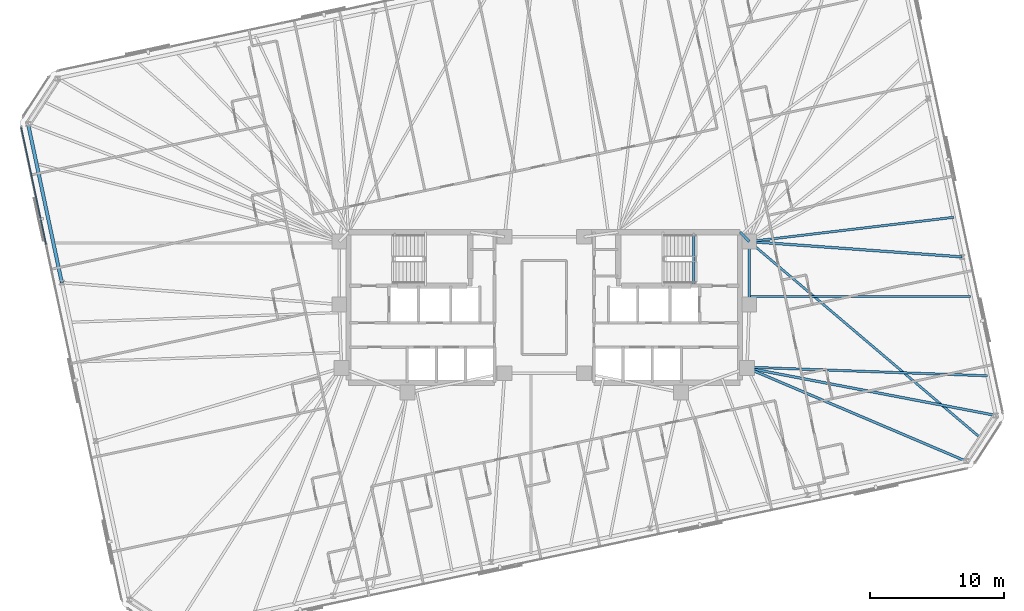
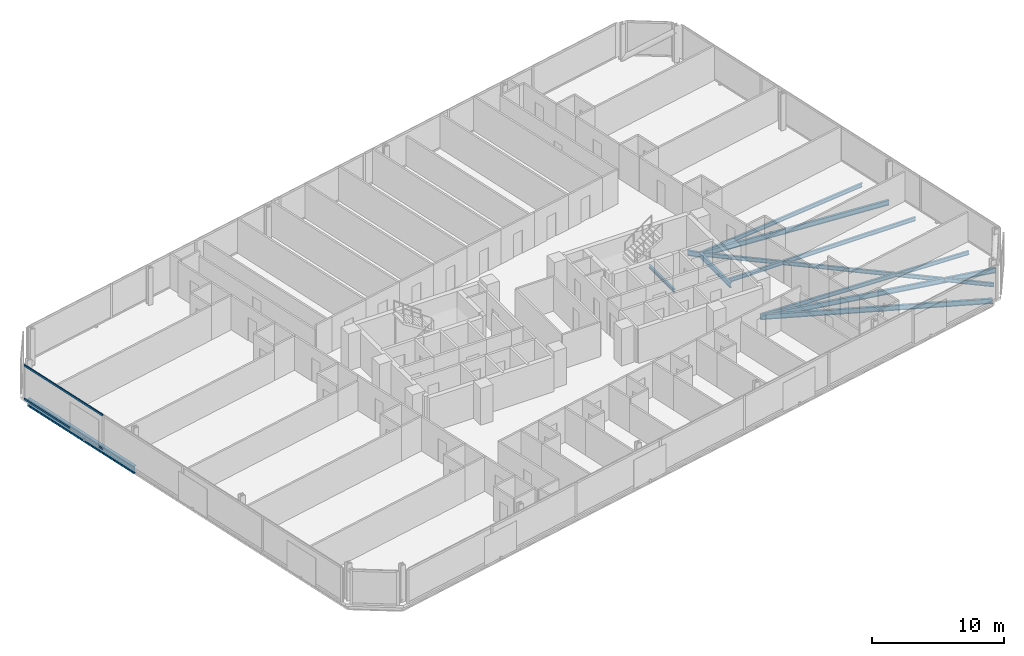
# One storey, part 8 of 21: 11 beams, 2 members, 1 element without a shape of its own.
"""IFC4 building model written with IfcOpenShell, lengths in metres."""

from ifc_helpers import new_model, si_unit, direction, frame, origin, origin_2d, place, context, subcontext, project, spatial, rectangle, i_section, extrude, material, material_profile, profile_set, type_object, element, aggregate, save


model = new_model("IFC4")

# Units and contexts
model_context = context("Model", 3, precision=1e-05, world=origin(), true_north=direction((0.0, 1.0)))
body_context = subcontext(model_context, "Body", "Model", "MODEL_VIEW")
ifc_project = project(units=[si_unit("LENGTHUNIT", "METRE"), si_unit("AREAUNIT", "SQUARE_METRE"), si_unit("VOLUMEUNIT", "CUBIC_METRE"), si_unit("PLANEANGLEUNIT", "RADIAN"), si_unit("MASSUNIT", "GRAM", prefix="KILO")], contexts=[model_context])

# Site, building, storey
site_placement = place(None, origin())
site = spatial("IfcSite", under=ifc_project, at=site_placement, CompositionType="ELEMENT")
building_placement = place(site_placement, origin())
building = spatial("IfcBuilding", under=site, at=building_placement, Name="Menara Jurai Vektor", CompositionType="ELEMENT")
storey_placement = place(building_placement, frame((0.0, 0.0, 168.39990234375)))
storey = spatial("IfcBuildingStorey", under=building, at=storey_placement, Name="L43", CompositionType="ELEMENT", Elevation=168.39990234375)

# Curtain wall, members
ifc_material_1 = material(Name="Anodised Pale Aluminium & Low-E Double Glazing", Category="aluminium")
curtain_wall_type = type_object("IfcCurtainWallType", Name="CW-BLK3", PredefinedType="NOTDEFINED", material=ifc_material_1)
curtain_wall_placement = place(storey_placement, origin())
curtain_wall = element("IfcCurtainWall", 1, at=curtain_wall_placement, inside=storey, type_object=curtain_wall_type, Name="Unitised Curtain Wall L43 F07", PredefinedType="NOTDEFINED")
ifc_material_2 = material(Name="Anodised Pale Aluminium Transom", Category="aluminium")
ifc_material_profile_1 = material_profile(ifc_material_2, rectangle(XDim=0.0849609375, YDim=0.175048828125, at=origin_2d()), Name="ALU TRN 85x175")
ifc_profile_set_1 = profile_set([ifc_material_profile_1], Name="Anodised Pale Aluminium Transom")
member_type = type_object("IfcMemberType", Name="CW-BLK3-TRN", PredefinedType="USERDEFINED", material=ifc_profile_set_1)
member_1_placement = place(storey_placement, frame((-38.896728515625, 13.378173828125, 0.04248046875), z_axis=(0.207899517354, -0.978150188204, 0.0), x_axis=(0.978150188204, 0.207899517354, 0.0)))
member_1 = element("IfcMember", 2, at=member_1_placement, type_object=member_type, Name="CW-03 transom 1.1", ObjectType="TRANSOM", PredefinedType="USERDEFINED", context=body_context, shape_type="SweptSolid", body=[
    extrude(rectangle(XDim=0.0849609375, YDim=0.175048828125, at=origin_2d()), origin(), (0.0, 0.0, 1.0), 8.882568359375),
])
member_2_placement = place(storey_placement, frame((-38.896728515625, 13.378173828125, 3.132568359375), z_axis=(0.207899517354, -0.978150188204, 0.0), x_axis=(0.978150188204, 0.207899517354, 0.0)))
member_2 = element("IfcMember", 3, at=member_2_placement, type_object=member_type, Name="CW-03 transom 1.2", ObjectType="TRANSOM", PredefinedType="USERDEFINED", context=body_context, shape_type="SweptSolid", body=[
    extrude(rectangle(XDim=0.0849609375, YDim=0.175048828125, at=origin_2d()), origin(), (0.0, 0.0, 1.0), 8.882568359375),
])
aggregate(curtain_wall, [member_1, member_2])

# Beams
ifc_material_3 = material(Name="Steel S355", Category="steel")
ifc_material_profile_2 = material_profile(ifc_material_3, i_section(OverallWidth=0.19091796875, OverallDepth=0.4599609375, WebThickness=0.010009765625, FlangeThickness=0.01611328125, FilletRadius=0.010009765625, at=origin_2d()), Name="UKB 457x191x82")
ifc_profile_set_2 = profile_set([ifc_material_profile_2], Name="Steel S355")
beam_type_1 = type_object("IfcBeamType", Name="STR-BM-457", PredefinedType="BEAM", material=ifc_profile_set_2)
beam_1_placement = place(storey_placement, frame((14.56005859375, 5.60009765625, -0.454833984375), z_axis=(0.701871936926, -0.712303154672, 0.0), x_axis=(0.712303154672, 0.701871936926, 0.0)))
element("IfcBeam", 4, at=beam_1_placement, inside=storey, type_object=beam_type_1, Name="Core Ring Header Girder L43-CHE-N2", PredefinedType="BEAM", context=body_context, shape_type="SweptSolid", body=[
    extrude(i_section(OverallWidth=0.19091796875, OverallDepth=0.4599609375, WebThickness=0.010009765625, FlangeThickness=0.01611328125, FilletRadius=0.010009765625, at=origin_2d()), origin(), (0.0, 0.0, 1.0), 0.98291015625),
])
beam_2_placement = place(storey_placement, frame((15.25, 0.219970703125, -0.454833984375), z_axis=(0.0, 1.0, 0.0), x_axis=(-1.0, 0.0, 0.0)))
element("IfcBeam", 5, at=beam_2_placement, inside=storey, type_object=beam_type_1, Name="Core Ring Header Girder L43-CHE-E1", PredefinedType="BEAM", context=body_context, shape_type="SweptSolid", body=[
    extrude(i_section(OverallWidth=0.19091796875, OverallDepth=0.4599609375, WebThickness=0.010009765625, FlangeThickness=0.01611328125, FilletRadius=0.010009765625, at=origin_2d()), origin(), (0.0, 0.0, 1.0), 4.679931640625),
])
beam_3_placement = place(storey_placement, frame((31.376220703125, -11.438720703125, -0.454833984375), z_axis=(-0.920069342045, 0.391755543458, 0.0), x_axis=(-0.391755543458, -0.920069342045, 0.0)))
element("IfcBeam", 6, at=beam_3_placement, inside=storey, type_object=beam_type_1, Name="Radial Floor Girder L43-S6", PredefinedType="BEAM", context=body_context, shape_type="SweptSolid", body=[
    extrude(i_section(OverallWidth=0.19091796875, OverallDepth=0.4599609375, WebThickness=0.010009765625, FlangeThickness=0.01611328125, FilletRadius=0.010009765625, at=origin_2d()), origin(), (0.0, 0.0, 1.0), 17.7119140625),
])
beam_4_placement = place(storey_placement, frame((33.588623046875, -8.031982421875, -0.454833984375), z_axis=(-0.982274660407, 0.187447303322, 0.0), x_axis=(-0.187447303322, -0.982274660407, 0.0)))
element("IfcBeam", 7, at=beam_4_placement, inside=storey, type_object=beam_type_1, Name="Radial Floor Girder L43-E1", PredefinedType="BEAM", context=body_context, shape_type="SweptSolid", body=[
    extrude(i_section(OverallWidth=0.19091796875, OverallDepth=0.4599609375, WebThickness=0.010009765625, FlangeThickness=0.01611328125, FilletRadius=0.010009765625, at=origin_2d()), origin(), (0.0, 0.0, 1.0), 18.842529296875),
])
beam_5_placement = place(storey_placement, frame((31.082763671875, 3.75634765625, -0.454833984375), z_axis=(-0.997401783921, 0.072039443584, 0.0), x_axis=(-0.072039443584, -0.997401783921, 0.0)))
element("IfcBeam", 8, at=beam_5_placement, inside=storey, type_object=beam_type_1, Name="Radial Floor Girder L43-E2", PredefinedType="BEAM", context=body_context, shape_type="SweptSolid", body=[
    extrude(i_section(OverallWidth=0.19091796875, OverallDepth=0.4599609375, WebThickness=0.010009765625, FlangeThickness=0.01611328125, FilletRadius=0.010009765625, at=origin_2d()), origin(), (0.0, 0.0, 1.0), 15.8740234375),
])
ifc_material_profile_3 = material_profile(ifc_material_3, i_section(OverallWidth=0.172119140625, OverallDepth=0.35498046875, WebThickness=0.007080078125, FlangeThickness=0.011962890625, FilletRadius=0.010009765625, at=origin_2d()), Name="UKB 356x171x51")
ifc_profile_set_3 = profile_set([ifc_material_profile_3], Name="Steel S355")
beam_type_2 = type_object("IfcBeamType", Name="STR-JS-356", PredefinedType="JOIST", material=ifc_profile_set_3)
beam_6_placement = place(storey_placement, frame((32.482421875, -9.7353515625, -0.40234375), z_axis=(-0.762207822165, 0.6473323998, 0.0), x_axis=(-0.6473323998, -0.762207822165, 0.0)))
element("IfcBeam", 9, at=beam_6_placement, inside=storey, type_object=beam_type_2, Name="Radial Secondary Floor Joist L43-JS10", PredefinedType="JOIST", context=body_context, shape_type="SweptSolid", body=[
    extrude(i_section(OverallWidth=0.172119140625, OverallDepth=0.35498046875, WebThickness=0.007080078125, FlangeThickness=0.011962890625, FilletRadius=0.010009765625, at=origin_2d()), origin(), (0.0, 0.0, 1.0), 22.608642578125),
])
beam_7_placement = place(storey_placement, frame((32.962158203125, -5.0849609375, -0.40234375), z_axis=(-0.999351908775, 0.035996700238, 0.0), x_axis=(-0.035996700238, -0.999351908775, 0.0)))
element("IfcBeam", 10, at=beam_7_placement, inside=storey, type_object=beam_type_2, Name="Radial Secondary Floor Joist L43-JS11", PredefinedType="JOIST", context=body_context, shape_type="SweptSolid", body=[
    extrude(i_section(OverallWidth=0.172119140625, OverallDepth=0.35498046875, WebThickness=0.007080078125, FlangeThickness=0.011962890625, FilletRadius=0.010009765625, at=origin_2d()), origin(), (0.0, 0.0, 1.0), 17.8916015625),
])
beam_8_placement = place(storey_placement, frame((31.709228515625, 0.809326171875, -0.40234375), z_axis=(-1.0, 0.0, 0.0), x_axis=(0.0, -1.0, 0.0)))
element("IfcBeam", 11, at=beam_8_placement, inside=storey, type_object=beam_type_2, Name="Radial Secondary Floor Joist L43-JS12", PredefinedType="JOIST", context=body_context, shape_type="SweptSolid", body=[
    extrude(i_section(OverallWidth=0.172119140625, OverallDepth=0.35498046875, WebThickness=0.007080078125, FlangeThickness=0.011962890625, FilletRadius=0.010009765625, at=origin_2d()), origin(), (0.0, 0.0, 1.0), 16.459228515625),
])
beam_9_placement = place(storey_placement, frame((30.456298828125, 6.70361328125, -0.40234375), z_axis=(-0.993038492178, -0.11779029269, 0.0), x_axis=(0.11779029269, -0.993038492178, 0.0)))
element("IfcBeam", 12, at=beam_9_placement, inside=storey, type_object=beam_type_2, Name="Radial Secondary Floor Joist L43-JS13", PredefinedType="JOIST", context=body_context, shape_type="SweptSolid", body=[
    extrude(i_section(OverallWidth=0.172119140625, OverallDepth=0.35498046875, WebThickness=0.007080078125, FlangeThickness=0.011962890625, FilletRadius=0.010009765625, at=origin_2d()), origin(), (0.0, 0.0, 1.0), 15.31298828125),
])
ifc_material_profile_4 = material_profile(ifc_material_3, i_section(OverallWidth=0.1650390625, OverallDepth=0.302978515625, WebThickness=0.006103515625, FlangeThickness=0.010009765625, FilletRadius=0.009033203125, at=origin_2d()), Name="UKB 305x165x40")
ifc_profile_set_4 = profile_set([ifc_material_profile_4], Name="Steel S355")
beam_type_3 = type_object("IfcBeamType", Name="STR-LN-305", PredefinedType="LINTEL", material=ifc_profile_set_4)
beam_10_placement = place(storey_placement, frame((11.1201171875, 1.60009765625, -0.37646484375), z_axis=(0.0, 1.0, 0.0), x_axis=(-1.0, 0.0, 0.0)))
element("IfcBeam", 13, at=beam_10_placement, inside=storey, type_object=beam_type_3, Name="Stair Well Floor Trimmer ST2 L43", PredefinedType="LINTEL", context=body_context, shape_type="SweptSolid", body=[
    extrude(i_section(OverallWidth=0.1650390625, OverallDepth=0.302978515625, WebThickness=0.006103515625, FlangeThickness=0.010009765625, FilletRadius=0.009033203125, at=origin_2d()), origin(), (0.0, 0.0, 1.0), 3.81982421875),
])
ifc_material_4 = material(Name="Steel S460", Category="steel")
ifc_material_profile_5 = material_profile(ifc_material_4, i_section(OverallWidth=0.256103515625, OverallDepth=0.693115234375, WebThickness=0.013916015625, FlangeThickness=0.02392578125, FilletRadius=0.014892578125, at=origin_2d()), Name="UKB 686x254x170")
ifc_profile_set_5 = profile_set([ifc_material_profile_5], Name="Steel S460")
beam_type_4 = type_object("IfcBeamType", Name="STR-SP-686", PredefinedType="SPANDREL", material=ifc_profile_set_5)
beam_11_placement = place(storey_placement, frame((-38.388671875, 13.632080078125, -0.5712890625), z_axis=(0.207921262698, -0.978145566119, 0.0), x_axis=(0.978145566119, 0.207921262698, 0.0)))
element("IfcBeam", 14, at=beam_11_placement, inside=storey, type_object=beam_type_4, Name="Exoskeleton Spandrel Beam L43-17", PredefinedType="SPANDREL", context=body_context, shape_type="SweptSolid", body=[
    extrude(i_section(OverallWidth=0.256103515625, OverallDepth=0.693115234375, WebThickness=0.013916015625, FlangeThickness=0.02392578125, FilletRadius=0.014892578125, at=origin_2d()), origin(), (0.0, 0.0, 1.0), 12.052001953125),
])

save(model, "model.ifc")
